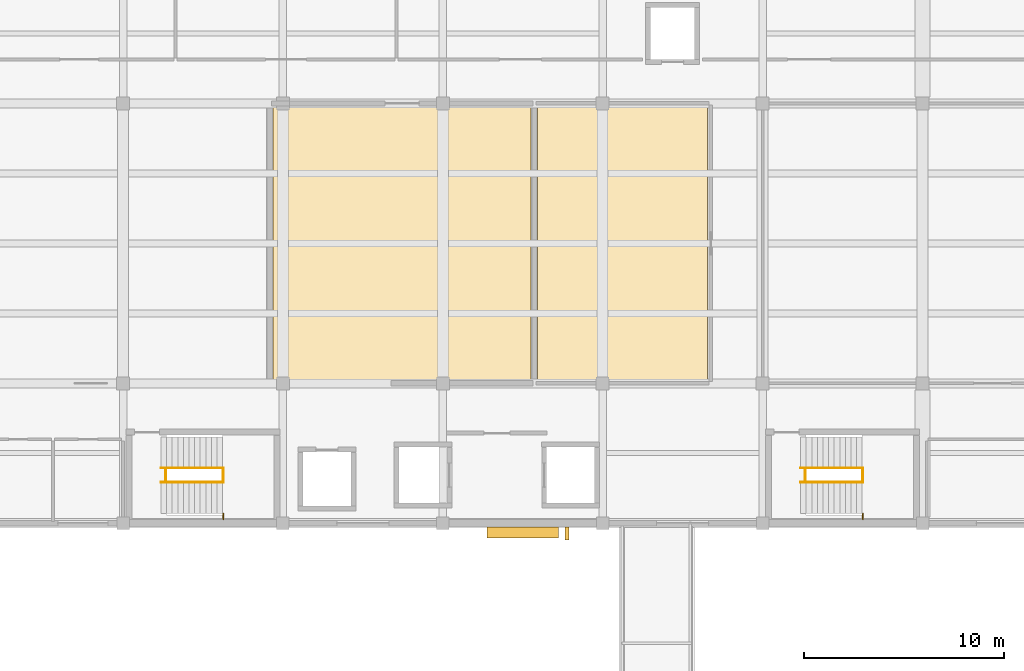
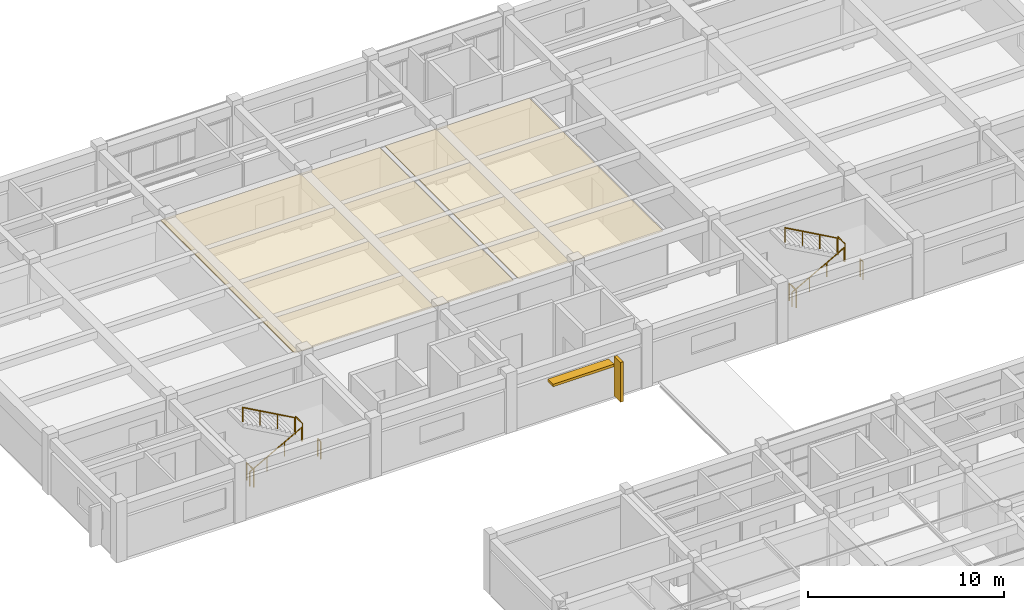
# One storey, part 31 of 33: 10 railings, 2 coverings, 2 shading devices.
"""IFC4 building model written with IfcOpenShell, lengths in metres."""

from ifc_helpers import new_model, si_unit, direction, frame, origin, origin_2d, place, context, subcontext, project, spatial, polyline, rectangle, circle, outline, extrude, material, layer, layer_set, type_object, element, save


model = new_model("IFC4")

# Units and contexts
model_context = context("Model", 3, precision=1e-05, world=origin(), true_north=direction((0.0, 1.0)))
body_context = subcontext(model_context, "Body", "Model", "MODEL_VIEW")
ifc_project = project(units=[si_unit("LENGTHUNIT", "METRE"), si_unit("AREAUNIT", "SQUARE_METRE"), si_unit("VOLUMEUNIT", "CUBIC_METRE"), si_unit("PLANEANGLEUNIT", "RADIAN"), si_unit("MASSUNIT", "GRAM", prefix="KILO")], contexts=[model_context])

# Site, building, storey
site_placement = place(None, origin())
site = spatial("IfcSite", under=ifc_project, at=site_placement, CompositionType="ELEMENT")
building_placement = place(site_placement, origin())
building = spatial("IfcBuilding", under=site, at=building_placement, Name="Naurynzar Civic Courthouse", CompositionType="ELEMENT")
storey_placement = place(building_placement, frame((0.0, 0.0, 22.050048828125)))
storey = spatial("IfcBuildingStorey", under=building, at=storey_placement, Name="L06", CompositionType="ELEMENT", Elevation=22.050048828125)

# Coverings
ifc_material_1 = material(Name="Acoustic Oak Timber Grade A", Category="wood")
ifc_layer_1 = layer(ifc_material_1, 0.044921875)
ifc_layer_set_1 = layer_set([ifc_layer_1], Name="CEIL-ACOUSTIC-OAK-45")
covering_type_1 = type_object("IfcCoveringType", Name="CEIL-ACOUSTIC-OAK-45", PredefinedType="CEILING", material=ifc_layer_set_1)
covering_1_placement = place(storey_placement, frame((0.0, 0.0, 3.364990234375)))
element("IfcCovering", 1, at=covering_1_placement, inside=storey, type_object=covering_type_1, Name="Acoustic suspended ceiling Civil Trial Courtroom 6B", PredefinedType="CEILING", context=body_context, shape_type="SweptSolid", body=[
    extrude(outline(polyline([(89.4150390625, 51.159912109375), (76.4990234375, 51.159912109375), (76.4990234375, 64.840087890625), (89.4150390625, 64.840087890625), (89.4150390625, 51.159912109375)])), origin(), (0.0, 0.0, 1.0), 0.044921875),
])
ifc_material_2 = material(Name="Mineral Fibre Acoustic Ceiling")
ifc_layer_2 = layer(ifc_material_2, 0.030029296875)
ifc_layer_set_2 = layer_set([ifc_layer_2], Name="CEIL-MINERAL-30")
covering_type_2 = type_object("IfcCoveringType", Name="CEIL-MINERAL-30", PredefinedType="CEILING", material=ifc_layer_set_2)
covering_2_placement = place(storey_placement, frame((0.0, 0.0, 3.364990234375)))
element("IfcCovering", 2, at=covering_2_placement, inside=storey, type_object=covering_type_2, Name="Acoustic suspended ceiling Jury Room 6A", PredefinedType="CEILING", context=body_context, shape_type="SweptSolid", body=[
    extrude(outline(polyline([(98.239990234375, 51.159912109375), (89.735107421875, 51.159912109375), (89.735107421875, 64.840087890625), (98.239990234375, 64.840087890625), (98.239990234375, 51.159912109375)])), origin(), (0.0, 0.0, 1.0), 0.030029296875),
])

# Railings
ifc_material_3 = material(Name="Brushed Stainless Steel 304", Category="steel")
railing_type_1 = type_object("IfcRailingType", Name="RAIL-BAL-1100", PredefinedType="BALUSTRADE", material=ifc_material_3)
for number, where, name in (
    (3, (71.139892578125, 46.0400390625, 0.0), "Stair ST-V2A floor well slot guard L06"),
    (4, (74.02001953125, 46.0400390625, 1.875), "Stair ST-V2A-L06 half-landing well guard"),
):
    element("IfcRailing", number, at=place(storey_placement, frame(where)), inside=storey, type_object=railing_type_1, Name=name, PredefinedType="BALUSTRADE", context=body_context, shape_type="SweptSolid", body=[
        extrude(circle(Radius=0.02392578125, at=origin_2d()), frame((0.0, 0.0, 1.09619140625), z_axis=(0.0, 1.0, 0.0), x_axis=(-1.0, 0.0, 0.0)), (0.0, 0.0, 1.0), 0.719970703125),
        extrude(circle(Radius=0.02099609375, at=origin_2d()), origin(), (0.0, 0.0, 1.0), 1.072021484375),
        extrude(circle(Radius=0.02099609375, at=origin_2d()), frame((0.0, 0.719970703125, 0.0)), (0.0, 0.0, 1.0), 1.072021484375),
    ])
railing_1_placement = place(storey_placement, frame((74.02001953125, 44.195068359375, 1.875)))
element("IfcRailing", 5, at=railing_1_placement, inside=storey, type_object=railing_type_1, Name="Stair ST-V2A-L06 half-landing south slot guard", PredefinedType="BALUSTRADE", context=body_context, shape_type="SweptSolid", body=[
    extrude(circle(Radius=0.02392578125, at=origin_2d()), frame((0.0, 0.0, 1.09619140625), z_axis=(0.0, 1.0, 0.0), x_axis=(-1.0, 0.0, 0.0)), (0.0, 0.0, 1.0), 0.284912109375),
    extrude(circle(Radius=0.02099609375, at=origin_2d()), origin(), (0.0, 0.0, 1.0), 1.072021484375),
    extrude(circle(Radius=0.02099609375, at=origin_2d()), frame((0.0, 0.284912109375, 0.0)), (0.0, 0.0, 1.0), 1.072021484375),
])
for number, where, name in (
    (6, (103.139892578125, 46.0400390625, 0.0), "Stair ST-V2B floor well slot guard L06"),
    (7, (106.02001953125, 46.0400390625, 1.875), "Stair ST-V2B-L06 half-landing well guard"),
):
    element("IfcRailing", number, at=place(storey_placement, frame(where)), inside=storey, type_object=railing_type_1, Name=name, PredefinedType="BALUSTRADE", context=body_context, shape_type="SweptSolid", body=[
        extrude(circle(Radius=0.02392578125, at=origin_2d()), frame((0.0, 0.0, 1.09619140625), z_axis=(0.0, 1.0, 0.0), x_axis=(-1.0, 0.0, 0.0)), (0.0, 0.0, 1.0), 0.719970703125),
        extrude(circle(Radius=0.02099609375, at=origin_2d()), origin(), (0.0, 0.0, 1.0), 1.072021484375),
        extrude(circle(Radius=0.02099609375, at=origin_2d()), frame((0.0, 0.719970703125, 0.0)), (0.0, 0.0, 1.0), 1.072021484375),
    ])
railing_2_placement = place(storey_placement, frame((106.02001953125, 44.195068359375, 1.875)))
element("IfcRailing", 8, at=railing_2_placement, inside=storey, type_object=railing_type_1, Name="Stair ST-V2B-L06 half-landing south slot guard", PredefinedType="BALUSTRADE", context=body_context, shape_type="SweptSolid", body=[
    extrude(circle(Radius=0.02392578125, at=origin_2d()), frame((0.0, 0.0, 1.09619140625), z_axis=(0.0, 1.0, 0.0), x_axis=(-1.0, 0.0, 0.0)), (0.0, 0.0, 1.0), 0.284912109375),
    extrude(circle(Radius=0.02099609375, at=origin_2d()), origin(), (0.0, 0.0, 1.0), 1.072021484375),
    extrude(circle(Radius=0.02099609375, at=origin_2d()), frame((0.0, 0.284912109375, 0.0)), (0.0, 0.0, 1.0), 1.072021484375),
])
ifc_material_4 = material(Name="Brushed Stainless Steel 304", Category="steel")
railing_type_2 = type_object("IfcRailingType", Name="RAIL-HR-900", PredefinedType="HANDRAIL", material=ifc_material_4)
railing_3_placement = place(storey_placement, frame((70.89990234375, 46.0400390625, 0.15625)))
element("IfcRailing", 9, at=railing_3_placement, inside=storey, type_object=railing_type_2, Name="Stair ST-V2A-L06 flight 1 handrail", PredefinedType="HANDRAIL", context=body_context, shape_type="SweptSolid", body=[
    extrude(circle(Radius=0.02392578125, at=origin_2d()), frame((0.0, 0.0, 0.8759765625), z_axis=(0.873241540666, 0.0, 0.487287606713), x_axis=(0.0, 1.0, 0.0)), (0.0, 0.0, 1.0), 3.527099609375),
    extrude(circle(Radius=0.02099609375, at=origin_2d()), origin(), (0.0, 0.0, 1.0), 0.851806640625),
    extrude(circle(Radius=0.02099609375, at=origin_2d()), frame((1.026611328125, 0.0, 0.572998046875)), (0.0, 0.0, 1.0), 0.851806640625),
    extrude(circle(Radius=0.02099609375, at=origin_2d()), frame((2.053466796875, 0.0, 1.145751953125)), (0.0, 0.0, 1.0), 0.851806640625),
    extrude(circle(Radius=0.02099609375, at=origin_2d()), frame((3.080078125, 0.0, 1.71875)), (0.0, 0.0, 1.0), 0.851806640625),
])
railing_4_placement = place(storey_placement, frame((73.97998046875, 46.760009765625, 2.03125)))
element("IfcRailing", 10, at=railing_4_placement, inside=storey, type_object=railing_type_2, Name="Stair ST-V2A-L06 flight 2 handrail", PredefinedType="HANDRAIL", context=body_context, shape_type="SweptSolid", body=[
    extrude(circle(Radius=0.02392578125, at=origin_2d()), frame((0.0, 0.0, 0.8759765625), z_axis=(-0.873241540666, 0.0, 0.487287606713), x_axis=(0.0, -1.0, 0.0)), (0.0, 0.0, 1.0), 3.527099609375),
    extrude(circle(Radius=0.02099609375, at=origin_2d()), origin(), (0.0, 0.0, 1.0), 0.851806640625),
    extrude(circle(Radius=0.02099609375, at=origin_2d()), frame((-1.026611328125, 0.0, 0.572998046875)), (0.0, 0.0, 1.0), 0.851806640625),
    extrude(circle(Radius=0.02099609375, at=origin_2d()), frame((-2.053466796875, 0.0, 1.145751953125)), (0.0, 0.0, 1.0), 0.851806640625),
    extrude(circle(Radius=0.02099609375, at=origin_2d()), frame((-3.080078125, 0.0, 1.71875)), (0.0, 0.0, 1.0), 0.851806640625),
])
railing_5_placement = place(storey_placement, frame((102.89990234375, 46.0400390625, 0.15625)))
element("IfcRailing", 11, at=railing_5_placement, inside=storey, type_object=railing_type_2, Name="Stair ST-V2B-L06 flight 1 handrail", PredefinedType="HANDRAIL", context=body_context, shape_type="SweptSolid", body=[
    extrude(circle(Radius=0.02392578125, at=origin_2d()), frame((0.0, 0.0, 0.8759765625), z_axis=(0.873241540666, 0.0, 0.487287606713), x_axis=(0.0, 1.0, 0.0)), (0.0, 0.0, 1.0), 3.527099609375),
    extrude(circle(Radius=0.02099609375, at=origin_2d()), origin(), (0.0, 0.0, 1.0), 0.851806640625),
    extrude(circle(Radius=0.02099609375, at=origin_2d()), frame((1.026611328125, 0.0, 0.572998046875)), (0.0, 0.0, 1.0), 0.851806640625),
    extrude(circle(Radius=0.02099609375, at=origin_2d()), frame((2.053466796875, 0.0, 1.145751953125)), (0.0, 0.0, 1.0), 0.851806640625),
    extrude(circle(Radius=0.02099609375, at=origin_2d()), frame((3.080078125, 0.0, 1.71875)), (0.0, 0.0, 1.0), 0.851806640625),
])
railing_6_placement = place(storey_placement, frame((105.97998046875, 46.760009765625, 2.03125)))
element("IfcRailing", 12, at=railing_6_placement, inside=storey, type_object=railing_type_2, Name="Stair ST-V2B-L06 flight 2 handrail", PredefinedType="HANDRAIL", context=body_context, shape_type="SweptSolid", body=[
    extrude(circle(Radius=0.02392578125, at=origin_2d()), frame((0.0, 0.0, 0.8759765625), z_axis=(-0.873241540666, 0.0, 0.487287606713), x_axis=(0.0, -1.0, 0.0)), (0.0, 0.0, 1.0), 3.527099609375),
    extrude(circle(Radius=0.02099609375, at=origin_2d()), origin(), (0.0, 0.0, 1.0), 0.851806640625),
    extrude(circle(Radius=0.02099609375, at=origin_2d()), frame((-1.026611328125, 0.0, 0.572998046875)), (0.0, 0.0, 1.0), 0.851806640625),
    extrude(circle(Radius=0.02099609375, at=origin_2d()), frame((-2.053466796875, 0.0, 1.145751953125)), (0.0, 0.0, 1.0), 0.851806640625),
    extrude(circle(Radius=0.02099609375, at=origin_2d()), frame((-3.080078125, 0.0, 1.71875)), (0.0, 0.0, 1.0), 0.851806640625),
])

# Shading devices
ifc_material_5 = material(Name="Precast concrete C40/50", Category="concrete")
shading_device_type_1 = type_object("IfcShadingDeviceType", Name="SHD-FIN-V650", PredefinedType="JALOUSIE", material=ifc_material_5)
shading_device_1_placement = place(storey_placement, frame((91.21240234375, 43.489990234375, 0.0400390625), z_axis=(0.0, 0.0, 1.0), x_axis=(-1.0, 0.0, 0.0)))
element("IfcShadingDevice", 13, at=shading_device_1_placement, inside=storey, type_object=shading_device_type_1, Name="V2 vertical brise-soleil fin 33", PredefinedType="JALOUSIE", context=body_context, shape_type="SweptSolid", body=[
    extrude(rectangle(XDim=0.179931640625, YDim=0.64990234375, at=origin_2d()), origin(), (0.0, 0.0, 1.0), 2.47998046875),
])
ifc_material_6 = material(Name="Precast concrete C40/50", Category="concrete")
shading_device_type_2 = type_object("IfcShadingDeviceType", Name="SHD-LOUV-H550", PredefinedType="SHUTTER", material=ifc_material_6)
shading_device_2_placement = place(storey_placement, frame((89.0, 43.5400390625, 2.31982421875), z_axis=(0.0, 0.0, 1.0), x_axis=(-1.0, 0.0, 0.0)))
element("IfcShadingDevice", 14, at=shading_device_2_placement, inside=storey, type_object=shading_device_type_2, Name="V2 horizontal solar sun-breaker 33", PredefinedType="SHUTTER", context=body_context, shape_type="SweptSolid", body=[
    extrude(rectangle(XDim=3.60009765625, YDim=0.550048828125, at=origin_2d()), origin(), (0.0, 0.0, 1.0), 0.159912109375),
])

save(model, "model.ifc")
